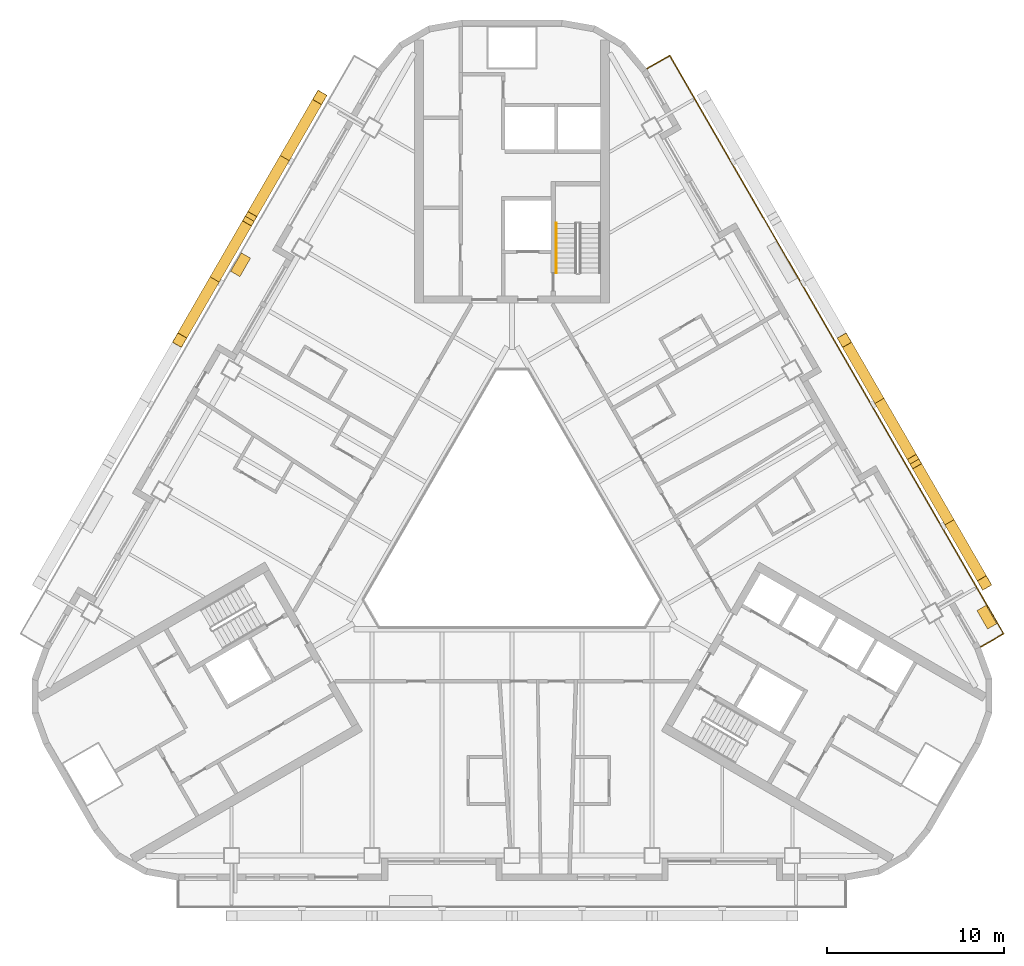
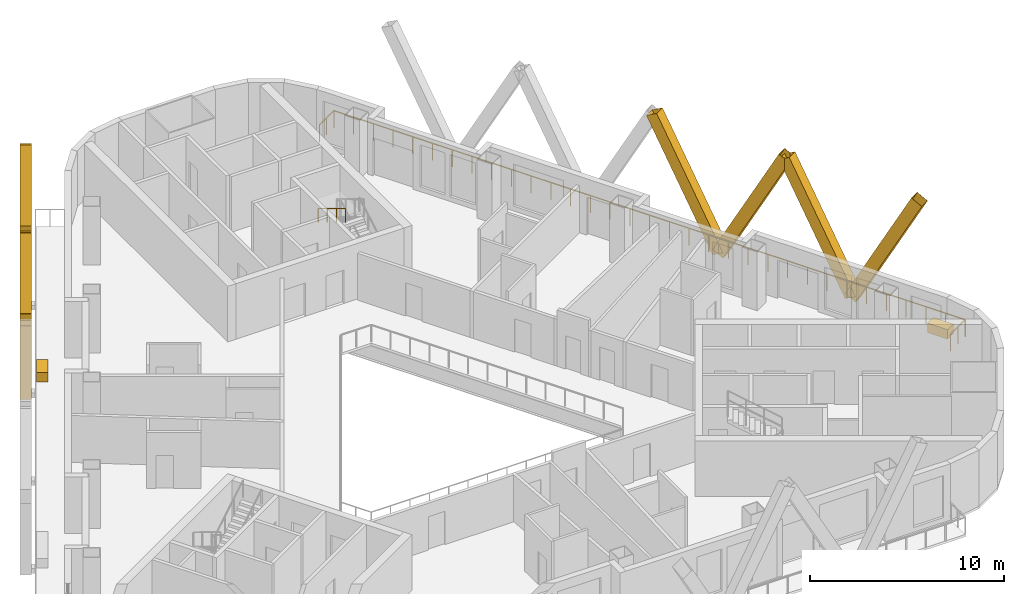
# One storey, part 13 of 14: 8 shading devices, 2 coverings, 2 railings.
"""IFC4 building model written with IfcOpenShell, lengths in metres."""

from ifc_helpers import new_model, si_unit, direction, frame, origin, origin_2d, place, context, subcontext, project, spatial, rectangle, hollow_rectangle, circle, extrude, material, material_profile, profile_set, type_object, element, save


model = new_model("IFC4")

# Units and contexts
model_context = context("Model", 3, precision=1e-05, world=origin(), true_north=direction((0.0, 1.0)))
body_context = subcontext(model_context, "Body", "Model", "MODEL_VIEW")
ifc_project = project(units=[si_unit("LENGTHUNIT", "METRE"), si_unit("AREAUNIT", "SQUARE_METRE"), si_unit("VOLUMEUNIT", "CUBIC_METRE"), si_unit("PLANEANGLEUNIT", "RADIAN"), si_unit("MASSUNIT", "GRAM", prefix="KILO")], contexts=[model_context])

# Site, building, storey
site_placement = place(None, origin())
site = spatial("IfcSite", under=ifc_project, at=site_placement, CompositionType="ELEMENT")
building_placement = place(site_placement, origin())
building = spatial("IfcBuilding", under=site, at=building_placement, Name="Apuvela Tower Hotel", CompositionType="ELEMENT")
storey_placement = place(building_placement, frame((0.0, 0.0, 113.10009765625)))
storey = spatial("IfcBuildingStorey", under=building, at=storey_placement, Name="L26", CompositionType="ELEMENT", Elevation=113.10009765625)

# Railing
ifc_material_1 = material(Name="Stainless steel 316 handrail", Category="steel")
railing_type_1 = type_object("IfcRailingType", Name="COR-HANDRAIL-900", PredefinedType="HANDRAIL", material=ifc_material_1)
railing_1_placement = place(storey_placement, frame((2.5, 17.39990234375, 2.01806640625)))
element("IfcRailing", 1, at=railing_1_placement, inside=storey, type_object=railing_type_1, Name="L26 ST1 stair handrail 2", PredefinedType="HANDRAIL", context=body_context, shape_type="SweptSolid", body=[
    extrude(circle(Radius=0.02392578125, at=origin_2d()), frame((0.0, 0.0, 0.8759765625), z_axis=(0.0, -0.857222391501, 0.514946377315), x_axis=(1.0, 0.0, 0.0)), (0.0, 0.0, 1.0), 3.26611328125),
    extrude(rectangle(XDim=0.0419921875, YDim=0.0419921875, at=origin_2d()), origin(), (0.0, 0.0, 1.0), 0.851806640625),
    extrude(rectangle(XDim=0.0419921875, YDim=0.0419921875, at=origin_2d()), frame((0.0, -0.933349609375, 0.560546875)), (0.0, 0.0, 1.0), 0.851806640625),
    extrude(rectangle(XDim=0.0419921875, YDim=0.0419921875, at=origin_2d()), frame((0.0, -1.866455078125, 1.121337890625)), (0.0, 0.0, 1.0), 0.851806640625),
    extrude(rectangle(XDim=0.0419921875, YDim=0.0419921875, at=origin_2d()), frame((0.0, -2.7998046875, 1.681884765625)), (0.0, 0.0, 1.0), 0.851806640625),
])

# Shading devices
ifc_material_2 = material(Name="Aluminium 6063-T6, black anodised", Category="aluminium")
ifc_material_profile = material_profile(ifc_material_2, hollow_rectangle(XDim=0.60009765625, YDim=0.699951171875, WallThickness=0.011962890625, at=origin_2d()), Name="AL BOX 700x600x12")
ifc_profile_set = profile_set([ifc_material_profile], Name="Aluminium 6063-T6, black anodised")
shading_device_type = type_object("IfcShadingDeviceType", Name="ENV-FIN-700x600", PredefinedType="USERDEFINED", material=ifc_profile_set)
for number, where, z_axis, x_axis, name in (
    (2, (24.656982421875, 0.552490234375, -0.10009765625), (0.235463880167, -0.407797827568, 0.882189148067), (0.866005453737, 0.500034552904, 0.0), "Lattice fin NE217"),
    (3, (24.656982421875, 0.552490234375, -0.10009765625), (-0.235433593518, 0.407824887177, 0.882184722404), (-0.866047669374, -0.499961432884, 0.0), "Lattice fin NE218"),
    (4, (20.70703125, 7.394287109375, -0.10009765625), (0.235461085354, -0.407822092458, 0.882178677019), (0.866020906874, 0.500007788796, 0.0), "Lattice fin NE219"),
):
    element("IfcShadingDevice", number, at=place(storey_placement, frame(where, z_axis=z_axis, x_axis=x_axis)), inside=storey, type_object=shading_device_type, Name=name, ObjectType="FIN", PredefinedType="USERDEFINED", context=body_context, shape_type="SweptSolid", body=[
        extrude(hollow_rectangle(XDim=0.60009765625, YDim=0.699951171875, WallThickness=0.011962890625, at=origin_2d()), origin(), (0.0, 0.0, 1.0), 8.38818359375),
    ])
shading_device_placement = place(storey_placement, frame((20.70703125, 7.394287109375, -0.10009765625), z_axis=(-0.235436388043, 0.407800622186, 0.882195193667), x_axis=(-0.866032218625, -0.499988196164, 0.0)))
element("IfcShadingDevice", 5, at=shading_device_placement, inside=storey, type_object=shading_device_type, Name="Lattice fin NE220", ObjectType="FIN", PredefinedType="USERDEFINED", context=body_context, shape_type="SweptSolid", body=[
    extrude(hollow_rectangle(XDim=0.60009765625, YDim=0.699951171875, WallThickness=0.011962890625, at=origin_2d()), origin(), (0.0, 0.0, 1.0), 8.387939453125),
])
for number, where, z_axis, x_axis, name in (
    (6, (-12.80712890625, 21.077392578125, -0.10009765625), (0.235461085354, 0.407822092458, 0.882178677019), (-0.866020906874, 0.500007788796, 0.0), "Lattice fin NW265"),
    (7, (-12.80712890625, 21.077392578125, -0.10009765625), (-0.235433593518, -0.407824887177, 0.882184722404), (0.866047669374, -0.499961432884, 0.0), "Lattice fin NW266"),
    (8, (-16.757080078125, 14.23583984375, -0.10009765625), (0.235463880167, 0.407797827568, 0.882189148067), (-0.866005453737, 0.500034552904, 0.0), "Lattice fin NW267"),
    (9, (-16.757080078125, 14.23583984375, -0.10009765625), (-0.235461085354, -0.407822092458, 0.882178677019), (0.866020906874, -0.500007788796, 0.0), "Lattice fin NW268"),
):
    element("IfcShadingDevice", number, at=place(storey_placement, frame(where, z_axis=z_axis, x_axis=x_axis)), inside=storey, type_object=shading_device_type, Name=name, ObjectType="FIN", PredefinedType="USERDEFINED", context=body_context, shape_type="SweptSolid", body=[
        extrude(hollow_rectangle(XDim=0.60009765625, YDim=0.699951171875, WallThickness=0.011962890625, at=origin_2d()), origin(), (0.0, 0.0, 1.0), 8.38818359375),
    ])

# Railing
ifc_material_3 = material(Name="Stainless steel 316 rail with laminated glass infill", Category="steel")
railing_type_2 = type_object("IfcRailingType", Name="ENV-GUARD-1100", PredefinedType="GUARDRAIL", material=ifc_material_3)
railing_2_placement = place(storey_placement, frame((26.407958984375, -6.47998046875, 0.0)))
element("IfcRailing", 10, at=railing_2_placement, inside=storey, type_object=railing_type_2, Name="Balcony guard NE L26", PredefinedType="GUARDRAIL", context=body_context, shape_type="SweptSolid", body=[
    extrude(rectangle(XDim=0.050048828125, YDim=0.050048828125, at=origin_2d()), frame((0.0, 0.0, 1.0751953125), z_axis=(0.866031096941, 0.499990139034, 0.0), x_axis=(-0.499990139034, 0.866031096941, 0.0)), (0.0, 0.0, 1.0), 1.5),
    extrude(rectangle(XDim=0.050048828125, YDim=0.050048828125, at=origin_2d()), frame((1.299072265625, 0.75, 1.0751953125), z_axis=(-0.500000437506, 0.86602515119, 0.0), x_axis=(-0.86602515119, -0.500000437506, 0.0)), (0.0, 0.0, 1.0), 37.6318359375),
    extrude(rectangle(XDim=0.050048828125, YDim=0.050048828125, at=origin_2d()), frame((-17.516845703125, 33.340087890625, 1.0751953125), z_axis=(-0.86599040064, -0.500060622324, 0.0), x_axis=(0.500060622324, -0.86599040064, 0.0)), (0.0, 0.0, 1.0), 1.499755859375),
    extrude(rectangle(XDim=0.0400390625, YDim=0.0400390625, at=origin_2d()), origin(), (0.0, 0.0, 1.0), 1.050048828125),
    extrude(rectangle(XDim=0.0400390625, YDim=0.0400390625, at=origin_2d()), frame((0.6494140625, 0.375, 0.0)), (0.0, 0.0, 1.0), 1.050048828125),
    extrude(rectangle(XDim=0.0400390625, YDim=0.0400390625, at=origin_2d()), frame((1.299072265625, 0.75, 0.0)), (0.0, 0.0, 1.0), 1.050048828125),
    extrude(rectangle(XDim=0.0400390625, YDim=0.0400390625, at=origin_2d()), frame((0.711181640625, 1.7685546875, 0.0)), (0.0, 0.0, 1.0), 1.050048828125),
    extrude(rectangle(XDim=0.0400390625, YDim=0.0400390625, at=origin_2d()), frame((0.123046875, 2.786865234375, 0.0)), (0.0, 0.0, 1.0), 1.050048828125),
    extrude(rectangle(XDim=0.0400390625, YDim=0.0400390625, at=origin_2d()), frame((-0.46484375, 3.805419921875, 0.0)), (0.0, 0.0, 1.0), 1.050048828125),
    extrude(rectangle(XDim=0.0400390625, YDim=0.0400390625, at=origin_2d()), frame((-1.052978515625, 4.82373046875, 0.0)), (0.0, 0.0, 1.0), 1.050048828125),
    extrude(rectangle(XDim=0.0400390625, YDim=0.0400390625, at=origin_2d()), frame((-1.640869140625, 5.84228515625, 0.0)), (0.0, 0.0, 1.0), 1.050048828125),
    extrude(rectangle(XDim=0.0400390625, YDim=0.0400390625, at=origin_2d()), frame((-2.22900390625, 6.860595703125, 0.0)), (0.0, 0.0, 1.0), 1.050048828125),
    extrude(rectangle(XDim=0.0400390625, YDim=0.0400390625, at=origin_2d()), frame((-2.81689453125, 7.879150390625, 0.0)), (0.0, 0.0, 1.0), 1.050048828125),
    extrude(rectangle(XDim=0.0400390625, YDim=0.0400390625, at=origin_2d()), frame((-3.40478515625, 8.8974609375, 0.0)), (0.0, 0.0, 1.0), 1.050048828125),
    extrude(rectangle(XDim=0.0400390625, YDim=0.0400390625, at=origin_2d()), frame((-3.992919921875, 9.916015625, 0.0)), (0.0, 0.0, 1.0), 1.050048828125),
    extrude(rectangle(XDim=0.0400390625, YDim=0.0400390625, at=origin_2d()), frame((-4.580810546875, 10.934326171875, 0.0)), (0.0, 0.0, 1.0), 1.050048828125),
    extrude(rectangle(XDim=0.0400390625, YDim=0.0400390625, at=origin_2d()), frame((-5.1689453125, 11.952880859375, 0.0)), (0.0, 0.0, 1.0), 1.050048828125),
    extrude(rectangle(XDim=0.0400390625, YDim=0.0400390625, at=origin_2d()), frame((-5.7568359375, 12.97119140625, 0.0)), (0.0, 0.0, 1.0), 1.050048828125),
    extrude(rectangle(XDim=0.0400390625, YDim=0.0400390625, at=origin_2d()), frame((-6.344970703125, 13.98974609375, 0.0)), (0.0, 0.0, 1.0), 1.050048828125),
    extrude(rectangle(XDim=0.0400390625, YDim=0.0400390625, at=origin_2d()), frame((-6.932861328125, 15.008056640625, 0.0)), (0.0, 0.0, 1.0), 1.050048828125),
    extrude(rectangle(XDim=0.0400390625, YDim=0.0400390625, at=origin_2d()), frame((-7.52099609375, 16.026611328125, 0.0)), (0.0, 0.0, 1.0), 1.050048828125),
    extrude(rectangle(XDim=0.0400390625, YDim=0.0400390625, at=origin_2d()), frame((-8.10888671875, 17.044921875, 0.0)), (0.0, 0.0, 1.0), 1.050048828125),
    extrude(rectangle(XDim=0.0400390625, YDim=0.0400390625, at=origin_2d()), frame((-8.69677734375, 18.0634765625, 0.0)), (0.0, 0.0, 1.0), 1.050048828125),
    extrude(rectangle(XDim=0.0400390625, YDim=0.0400390625, at=origin_2d()), frame((-9.284912109375, 19.08203125, 0.0)), (0.0, 0.0, 1.0), 1.050048828125),
    extrude(rectangle(XDim=0.0400390625, YDim=0.0400390625, at=origin_2d()), frame((-9.872802734375, 20.100341796875, 0.0)), (0.0, 0.0, 1.0), 1.050048828125),
    extrude(rectangle(XDim=0.0400390625, YDim=0.0400390625, at=origin_2d()), frame((-10.4609375, 21.118896484375, 0.0)), (0.0, 0.0, 1.0), 1.050048828125),
    extrude(rectangle(XDim=0.0400390625, YDim=0.0400390625, at=origin_2d()), frame((-11.048828125, 22.13720703125, 0.0)), (0.0, 0.0, 1.0), 1.050048828125),
    extrude(rectangle(XDim=0.0400390625, YDim=0.0400390625, at=origin_2d()), frame((-11.636962890625, 23.15576171875, 0.0)), (0.0, 0.0, 1.0), 1.050048828125),
    extrude(rectangle(XDim=0.0400390625, YDim=0.0400390625, at=origin_2d()), frame((-12.224853515625, 24.174072265625, 0.0)), (0.0, 0.0, 1.0), 1.050048828125),
    extrude(rectangle(XDim=0.0400390625, YDim=0.0400390625, at=origin_2d()), frame((-12.81298828125, 25.192626953125, 0.0)), (0.0, 0.0, 1.0), 1.050048828125),
    extrude(rectangle(XDim=0.0400390625, YDim=0.0400390625, at=origin_2d()), frame((-13.40087890625, 26.2109375, 0.0)), (0.0, 0.0, 1.0), 1.050048828125),
    extrude(rectangle(XDim=0.0400390625, YDim=0.0400390625, at=origin_2d()), frame((-13.98876953125, 27.2294921875, 0.0)), (0.0, 0.0, 1.0), 1.050048828125),
    extrude(rectangle(XDim=0.0400390625, YDim=0.0400390625, at=origin_2d()), frame((-14.576904296875, 28.247802734375, 0.0)), (0.0, 0.0, 1.0), 1.050048828125),
    extrude(rectangle(XDim=0.0400390625, YDim=0.0400390625, at=origin_2d()), frame((-15.164794921875, 29.266357421875, 0.0)), (0.0, 0.0, 1.0), 1.050048828125),
    extrude(rectangle(XDim=0.0400390625, YDim=0.0400390625, at=origin_2d()), frame((-15.7529296875, 30.28466796875, 0.0)), (0.0, 0.0, 1.0), 1.050048828125),
    extrude(rectangle(XDim=0.0400390625, YDim=0.0400390625, at=origin_2d()), frame((-16.3408203125, 31.30322265625, 0.0)), (0.0, 0.0, 1.0), 1.050048828125),
    extrude(rectangle(XDim=0.0400390625, YDim=0.0400390625, at=origin_2d()), frame((-16.928955078125, 32.321533203125, 0.0)), (0.0, 0.0, 1.0), 1.050048828125),
    extrude(rectangle(XDim=0.0400390625, YDim=0.0400390625, at=origin_2d()), frame((-17.516845703125, 33.340087890625, 0.0)), (0.0, 0.0, 1.0), 1.050048828125),
    extrude(rectangle(XDim=0.0400390625, YDim=0.0400390625, at=origin_2d()), frame((-18.166259765625, 32.965087890625, 0.0)), (0.0, 0.0, 1.0), 1.050048828125),
    extrude(rectangle(XDim=0.0400390625, YDim=0.0400390625, at=origin_2d()), frame((-18.815673828125, 32.590087890625, 0.0)), (0.0, 0.0, 1.0), 1.050048828125),
])

# Coverings
ifc_material_4 = material(Name="Planting substrate and soil, planted")
covering_type = type_object("IfcCoveringType", Name="ENV-PLANTER-1200x600", PredefinedType="USERDEFINED", material=ifc_material_4)
for number, where, z_axis, x_axis, name in (
    (11, (26.763916015625, -4.79638671875, -0.000244140625), (0.0, 0.0, 1.0), (-0.5, 0.866025403784, 0.0), "Planter NE2"),
    (12, (-15.2958984375, 15.066650390625, -0.000244140625), (0.0, 0.0, 1.0), (-0.5, -0.866025403784, 0.0), "Planter NW4"),
):
    element("IfcCovering", number, at=place(storey_placement, frame(where, z_axis=z_axis, x_axis=x_axis)), inside=storey, type_object=covering_type, Name=name, ObjectType="PLANTER", PredefinedType="USERDEFINED", context=body_context, shape_type="SweptSolid", body=[
        extrude(rectangle(XDim=1.199951171875, YDim=0.60009765625, at=origin_2d()), origin(), (0.0, 0.0, 1.0), 0.60009765625),
    ])

save(model, "model.ifc")
